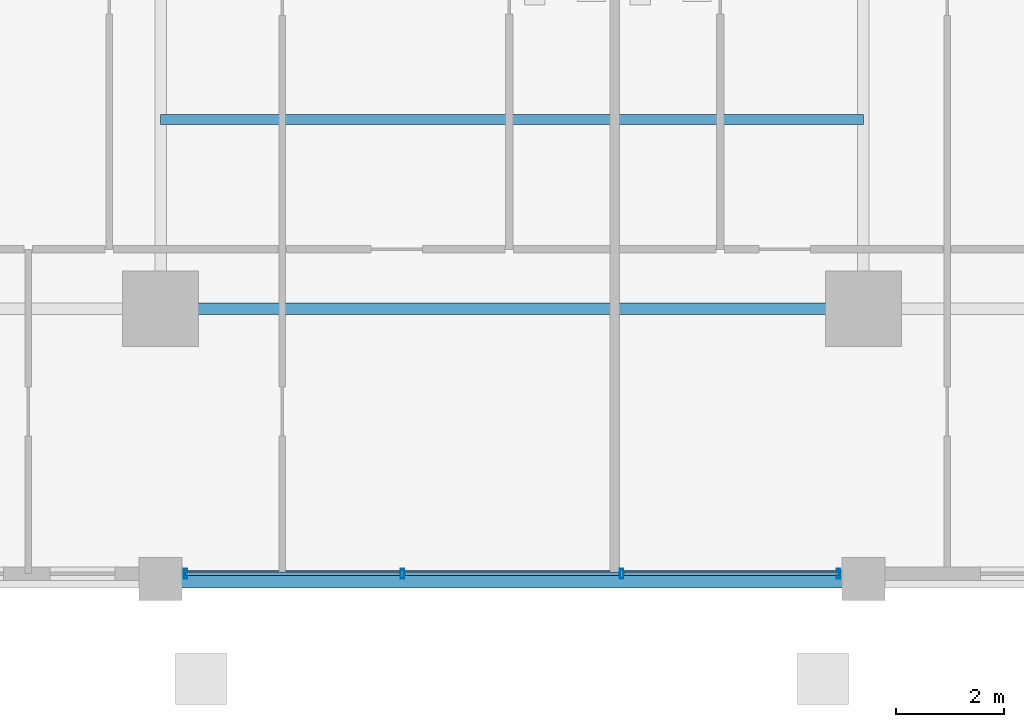
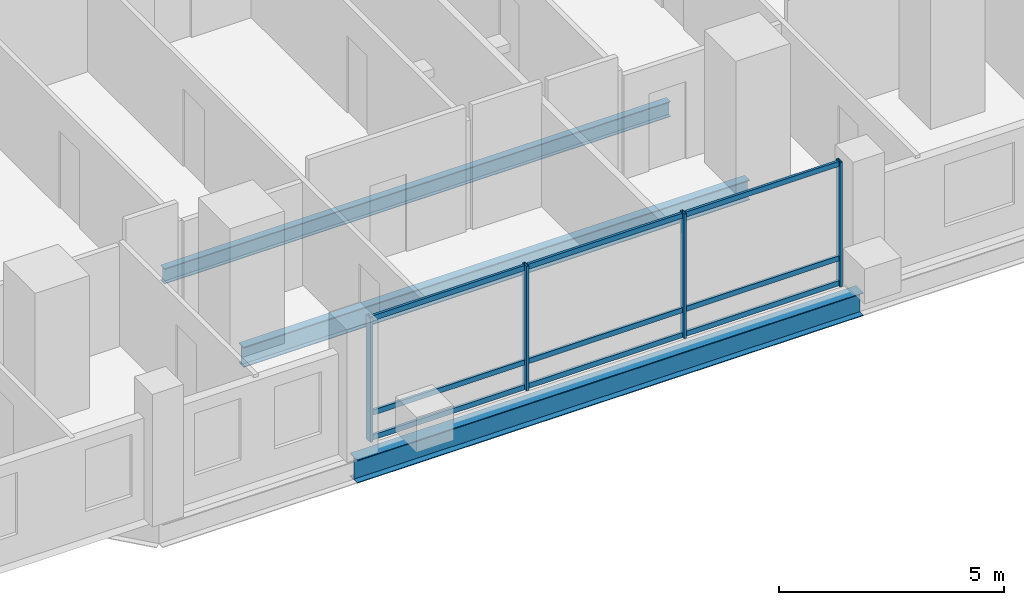
# One storey, part 2 of 23: 13 members, 3 beams, 1 element without a shape of its own.
"""IFC4 building model written with IfcOpenShell, lengths in metres."""

from ifc_helpers import new_model, si_unit, direction, frame, origin, origin_2d, place, context, subcontext, project, spatial, hollow_rectangle, i_section, extrude, material, layer, layer_set, material_profile, profile_set, type_object, element, aggregate, save


model = new_model("IFC4")

# Units and contexts
model_context = context("Model", 3, precision=1e-05, world=origin(), true_north=direction((0.0, 1.0)))
body_context = subcontext(model_context, "Body", "Model", "MODEL_VIEW")
ifc_project = project(units=[si_unit("LENGTHUNIT", "METRE"), si_unit("AREAUNIT", "SQUARE_METRE"), si_unit("VOLUMEUNIT", "CUBIC_METRE"), si_unit("PLANEANGLEUNIT", "RADIAN"), si_unit("MASSUNIT", "GRAM", prefix="KILO")], contexts=[model_context])

# Site, building, storey
site_placement = place(None, origin())
site = spatial("IfcSite", under=ifc_project, at=site_placement, CompositionType="ELEMENT")
building_placement = place(site_placement, origin())
building = spatial("IfcBuilding", under=site, at=building_placement, Name="Barlavira Tower and Art Museum", CompositionType="ELEMENT")
storey_placement = place(building_placement, frame((0.0, 0.0, 54.0)))
storey = spatial("IfcBuildingStorey", under=building, at=storey_placement, Name="L12", CompositionType="ELEMENT", Elevation=54.0)

# Curtain wall, members
ifc_material_1 = material(Name="Low-iron coastal laminated glass", Category="glass")
ifc_layer = layer(ifc_material_1, 0.179931640625, Name="Low-iron coastal laminated glass")
ifc_layer_set = layer_set([ifc_layer], Name="Low-iron coastal laminated glass")
curtain_wall_type = type_object("IfcCurtainWallType", Name="Pale-Metal Unitised Curtain Wall Zone 1", PredefinedType="NOTDEFINED", material=ifc_layer_set)
curtain_wall_placement = place(storey_placement, origin())
curtain_wall = element("IfcCurtainWall", 1, at=curtain_wall_placement, inside=storey, type_object=curtain_wall_type, Name="L12 Curtain Wall CW1-L12-S-B3", PredefinedType="NOTDEFINED")
ifc_material_2 = material(Name="Pale anodised aluminium", Category="aluminium")
ifc_material_profile_1 = material_profile(ifc_material_2, hollow_rectangle(XDim=0.06494140625, YDim=0.179931640625, WallThickness=0.00390625, at=origin_2d()), Name="ALU-MULL 65x180x4")
ifc_profile_set_1 = profile_set([ifc_material_profile_1], Name="Pale anodised aluminium")
member_type_1 = type_object("IfcMemberType", Name="Curtain Wall Pale-Metal Mullion 65x180", PredefinedType="MULLION", material=ifc_profile_set_1)
member_1_placement = place(storey_placement, frame((-6.034912109375, -24.89990234375, 0.0), z_axis=(0.0, 0.0, 1.0), x_axis=(1.0, 0.0, 0.0)))
member_1 = element("IfcMember", 2, at=member_1_placement, type_object=member_type_1, Name="CW1-L12-S-B3 Mullion 0", PredefinedType="MULLION", context=body_context, shape_type="SweptSolid", body=[
    extrude(hollow_rectangle(XDim=0.06494140625, YDim=0.179931640625, WallThickness=0.00390625, at=origin_2d()), origin(), (0.0, 0.0, 1.0), 3.3798828125),
])
member_2_placement = place(storey_placement, frame((-2.026611328125, -24.89990234375, 0.0), z_axis=(0.0, 0.0, 1.0), x_axis=(1.0, 0.0, 0.0)))
member_2 = element("IfcMember", 3, at=member_2_placement, type_object=member_type_1, Name="CW1-L12-S-B3 Mullion 1", PredefinedType="MULLION", context=body_context, shape_type="SweptSolid", body=[
    extrude(hollow_rectangle(XDim=0.06494140625, YDim=0.179931640625, WallThickness=0.00390625, at=origin_2d()), origin(), (0.0, 0.0, 1.0), 3.3798828125),
])
member_3_placement = place(storey_placement, frame((2.026611328125, -24.89990234375, 0.0), z_axis=(0.0, 0.0, 1.0), x_axis=(1.0, 0.0, 0.0)))
member_3 = element("IfcMember", 4, at=member_3_placement, type_object=member_type_1, Name="CW1-L12-S-B3 Mullion 2", PredefinedType="MULLION", context=body_context, shape_type="SweptSolid", body=[
    extrude(hollow_rectangle(XDim=0.06494140625, YDim=0.179931640625, WallThickness=0.00390625, at=origin_2d()), origin(), (0.0, 0.0, 1.0), 3.3798828125),
])
member_4_placement = place(storey_placement, frame((6.034912109375, -24.89990234375, 0.0), z_axis=(0.0, 0.0, 1.0), x_axis=(1.0, 0.0, 0.0)))
member_4 = element("IfcMember", 5, at=member_4_placement, type_object=member_type_1, Name="CW1-L12-S-B3 Mullion 3", PredefinedType="MULLION", context=body_context, shape_type="SweptSolid", body=[
    extrude(hollow_rectangle(XDim=0.06494140625, YDim=0.179931640625, WallThickness=0.00390625, at=origin_2d()), origin(), (0.0, 0.0, 1.0), 3.3798828125),
])
ifc_material_profile_2 = material_profile(ifc_material_2, hollow_rectangle(XDim=0.06494140625, YDim=0.139892578125, WallThickness=0.00390625, at=origin_2d()), Name="ALU-TRAN 65x140x4")
ifc_profile_set_2 = profile_set([ifc_material_profile_2], Name="Pale anodised aluminium")
member_type_2 = type_object("IfcMemberType", Name="Curtain Wall Pale-Metal Transom 65x140", PredefinedType="USERDEFINED", material=ifc_profile_set_2)
member_5_placement = place(storey_placement, frame((-6.034912109375, -24.89990234375, 0.070068359375), z_axis=(1.0, 0.0, 0.0), x_axis=(0.0, 1.0, 0.0)))
member_5 = element("IfcMember", 6, at=member_5_placement, type_object=member_type_2, Name="CW1-L12-S-B3 Transom 0.1", ObjectType="TRANSOM", PredefinedType="USERDEFINED", context=body_context, shape_type="SweptSolid", body=[
    extrude(hollow_rectangle(XDim=0.06494140625, YDim=0.139892578125, WallThickness=0.00390625, at=origin_2d()), origin(), (0.0, 0.0, 1.0), 3.963134765625),
])
member_6_placement = place(storey_placement, frame((-6.034912109375, -24.89990234375, 0.743896484375), z_axis=(1.0, 0.0, 0.0), x_axis=(0.0, 1.0, 0.0)))
member_6 = element("IfcMember", 7, at=member_6_placement, type_object=member_type_2, Name="CW1-L12-S-B3 Transom 0.2", ObjectType="TRANSOM", PredefinedType="USERDEFINED", context=body_context, shape_type="SweptSolid", body=[
    extrude(hollow_rectangle(XDim=0.06494140625, YDim=0.139892578125, WallThickness=0.00390625, at=origin_2d()), origin(), (0.0, 0.0, 1.0), 3.963134765625),
])
member_7_placement = place(storey_placement, frame((-6.034912109375, -24.89990234375, 3.31005859375), z_axis=(1.0, 0.0, 0.0), x_axis=(0.0, 1.0, 0.0)))
member_7 = element("IfcMember", 8, at=member_7_placement, type_object=member_type_2, Name="CW1-L12-S-B3 Transom 0.3", ObjectType="TRANSOM", PredefinedType="USERDEFINED", context=body_context, shape_type="SweptSolid", body=[
    extrude(hollow_rectangle(XDim=0.06494140625, YDim=0.139892578125, WallThickness=0.00390625, at=origin_2d()), origin(), (0.0, 0.0, 1.0), 3.963134765625),
])
member_8_placement = place(storey_placement, frame((-1.981689453125, -24.89990234375, 0.070068359375), z_axis=(1.0, 0.0, 0.0), x_axis=(0.0, 1.0, 0.0)))
member_8 = element("IfcMember", 9, at=member_8_placement, type_object=member_type_2, Name="CW1-L12-S-B3 Transom 1.1", ObjectType="TRANSOM", PredefinedType="USERDEFINED", context=body_context, shape_type="SweptSolid", body=[
    extrude(hollow_rectangle(XDim=0.06494140625, YDim=0.139892578125, WallThickness=0.00390625, at=origin_2d()), origin(), (0.0, 0.0, 1.0), 3.96337890625),
])
member_9_placement = place(storey_placement, frame((-1.981689453125, -24.89990234375, 0.743896484375), z_axis=(1.0, 0.0, 0.0), x_axis=(0.0, 1.0, 0.0)))
member_9 = element("IfcMember", 10, at=member_9_placement, type_object=member_type_2, Name="CW1-L12-S-B3 Transom 1.2", ObjectType="TRANSOM", PredefinedType="USERDEFINED", context=body_context, shape_type="SweptSolid", body=[
    extrude(hollow_rectangle(XDim=0.06494140625, YDim=0.139892578125, WallThickness=0.00390625, at=origin_2d()), origin(), (0.0, 0.0, 1.0), 3.96337890625),
])
member_10_placement = place(storey_placement, frame((-1.981689453125, -24.89990234375, 3.31005859375), z_axis=(1.0, 0.0, 0.0), x_axis=(0.0, 1.0, 0.0)))
member_10 = element("IfcMember", 11, at=member_10_placement, type_object=member_type_2, Name="CW1-L12-S-B3 Transom 1.3", ObjectType="TRANSOM", PredefinedType="USERDEFINED", context=body_context, shape_type="SweptSolid", body=[
    extrude(hollow_rectangle(XDim=0.06494140625, YDim=0.139892578125, WallThickness=0.00390625, at=origin_2d()), origin(), (0.0, 0.0, 1.0), 3.96337890625),
])
member_11_placement = place(storey_placement, frame((2.07177734375, -24.89990234375, 0.070068359375), z_axis=(1.0, 0.0, 0.0), x_axis=(0.0, 1.0, 0.0)))
member_11 = element("IfcMember", 12, at=member_11_placement, type_object=member_type_2, Name="CW1-L12-S-B3 Transom 2.1", ObjectType="TRANSOM", PredefinedType="USERDEFINED", context=body_context, shape_type="SweptSolid", body=[
    extrude(hollow_rectangle(XDim=0.06494140625, YDim=0.139892578125, WallThickness=0.00390625, at=origin_2d()), origin(), (0.0, 0.0, 1.0), 3.963134765625),
])
member_12_placement = place(storey_placement, frame((2.07177734375, -24.89990234375, 0.743896484375), z_axis=(1.0, 0.0, 0.0), x_axis=(0.0, 1.0, 0.0)))
member_12 = element("IfcMember", 13, at=member_12_placement, type_object=member_type_2, Name="CW1-L12-S-B3 Transom 2.2", ObjectType="TRANSOM", PredefinedType="USERDEFINED", context=body_context, shape_type="SweptSolid", body=[
    extrude(hollow_rectangle(XDim=0.06494140625, YDim=0.139892578125, WallThickness=0.00390625, at=origin_2d()), origin(), (0.0, 0.0, 1.0), 3.963134765625),
])
member_13_placement = place(storey_placement, frame((2.07177734375, -24.89990234375, 3.31005859375), z_axis=(1.0, 0.0, 0.0), x_axis=(0.0, 1.0, 0.0)))
member_13 = element("IfcMember", 14, at=member_13_placement, type_object=member_type_2, Name="CW1-L12-S-B3 Transom 2.3", ObjectType="TRANSOM", PredefinedType="USERDEFINED", context=body_context, shape_type="SweptSolid", body=[
    extrude(hollow_rectangle(XDim=0.06494140625, YDim=0.139892578125, WallThickness=0.00390625, at=origin_2d()), origin(), (0.0, 0.0, 1.0), 3.963134765625),
])
aggregate(curtain_wall, [member_1, member_2, member_3, member_4, member_5, member_6, member_7, member_8, member_9, member_10, member_11, member_12, member_13])

# Beams
ifc_material_3 = material(Name="Steel S355", Category="steel")
ifc_material_profile_3 = material_profile(ifc_material_3, i_section(OverallWidth=0.327880859375, OverallDepth=0.62890625, WebThickness=0.013916015625, FlangeThickness=0.021484375, at=origin_2d()), Name="W610x174.0")
ifc_profile_set_3 = profile_set([ifc_material_profile_3], Name="Steel S355")
beam_type_1 = type_object("IfcBeamType", Name="Perimeter Spandrel Edge Beam W610x174 Steel S355", PredefinedType="SPANDREL", material=ifc_profile_set_3)
beam_1_placement = place(storey_placement, frame((-6.5, -25.0, -0.534423828125), z_axis=(1.0, 0.0, 0.0), x_axis=(0.0, 1.0, 0.0)))
element("IfcBeam", 15, at=beam_1_placement, inside=storey, type_object=beam_type_1, Name="L12 Spandrel 2", PredefinedType="SPANDREL", context=body_context, shape_type="SweptSolid", body=[
    extrude(i_section(OverallWidth=0.327880859375, OverallDepth=0.62890625, WebThickness=0.013916015625, FlangeThickness=0.021484375, at=origin_2d()), origin(), (0.0, 0.0, 1.0), 13.0),
])
ifc_material_profile_4 = material_profile(ifc_material_3, i_section(OverallWidth=0.180908203125, OverallDepth=0.4169921875, WebThickness=0.010986328125, FlangeThickness=0.018310546875, at=origin_2d()), Name="W410x85.0")
ifc_profile_set_4 = profile_set([ifc_material_profile_4], Name="Steel S355")
beam_type_2 = type_object("IfcBeamType", Name="Zone 1 Composite Floor Joist W410x85 Steel S355", PredefinedType="JOIST", material=ifc_profile_set_4)
beam_2_placement = place(storey_placement, frame((-6.5, -16.5, -0.428466796875), z_axis=(1.0, 0.0, 0.0), x_axis=(0.0, 1.0, 0.0)))
element("IfcBeam", 16, at=beam_2_placement, inside=storey, type_object=beam_type_2, Name="L12 Joist C1", PredefinedType="JOIST", context=body_context, shape_type="SweptSolid", body=[
    extrude(i_section(OverallWidth=0.180908203125, OverallDepth=0.4169921875, WebThickness=0.010986328125, FlangeThickness=0.018310546875, at=origin_2d()), origin(), (0.0, 0.0, 1.0), 13.0),
])
ifc_material_profile_5 = material_profile(ifc_material_3, i_section(OverallWidth=0.214111328125, OverallDepth=0.549072265625, WebThickness=0.0146484375, FlangeThickness=0.023681640625, at=origin_2d()), Name="W530x138.0")
ifc_profile_set_5 = profile_set([ifc_material_profile_5], Name="Steel S355")
beam_type_3 = type_object("IfcBeamType", Name="Zone 1 Primary Floor Girder W530x138 Steel S355", PredefinedType="BEAM", material=ifc_profile_set_5)
beam_3_placement = place(storey_placement, frame((-6.5, -20.0, -0.494384765625), z_axis=(1.0, 0.0, 0.0), x_axis=(0.0, 1.0, 0.0)))
element("IfcBeam", 17, at=beam_3_placement, inside=storey, type_object=beam_type_3, Name="L12 Girder M-S2", PredefinedType="BEAM", context=body_context, shape_type="SweptSolid", body=[
    extrude(i_section(OverallWidth=0.214111328125, OverallDepth=0.549072265625, WebThickness=0.0146484375, FlangeThickness=0.023681640625, at=origin_2d()), origin(), (0.0, 0.0, 1.0), 13.0),
])

save(model, "model.ifc")
